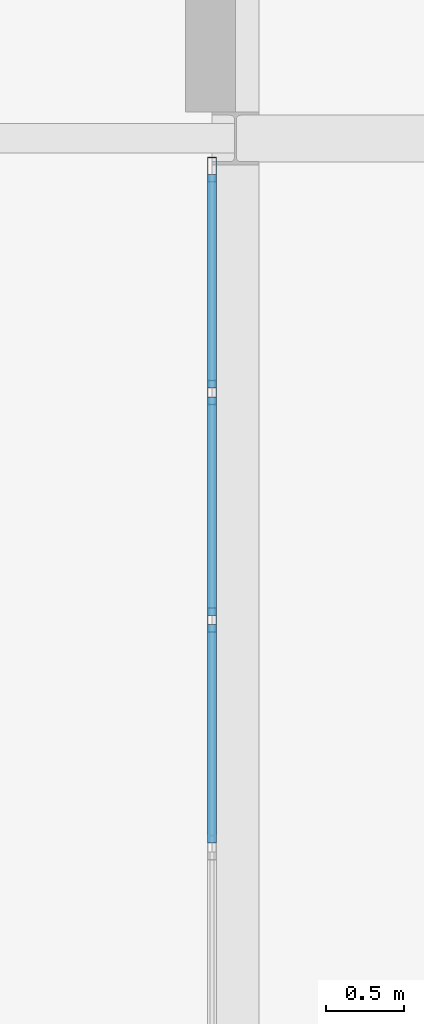
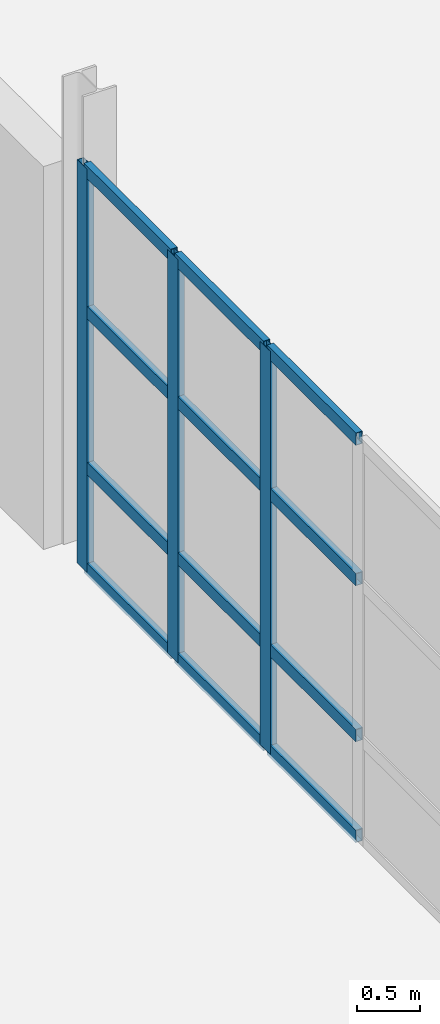
# One storey, part 82 of 103: 15 members, 1 element without a shape of its own.
"""IFC4 building model written with IfcOpenShell, lengths in metres."""

from ifc_helpers import new_model, si_unit, direction, frame, origin, origin_2d, place, context, subcontext, project, spatial, hollow_rectangle, extrude, material, material_profile, profile_set, type_object, element, aggregate, save


model = new_model("IFC4")

# Units and contexts
model_context = context("Model", 3, precision=1e-05, world=origin(), true_north=direction((0.0, 1.0)))
body_context = subcontext(model_context, "Body", "Model", "MODEL_VIEW")
ifc_project = project(units=[si_unit("LENGTHUNIT", "METRE"), si_unit("AREAUNIT", "SQUARE_METRE"), si_unit("VOLUMEUNIT", "CUBIC_METRE"), si_unit("PLANEANGLEUNIT", "RADIAN"), si_unit("MASSUNIT", "GRAM", prefix="KILO")], contexts=[model_context])

# Site, building, storey
site_placement = place(None, origin())
site = spatial("IfcSite", under=ifc_project, at=site_placement, CompositionType="ELEMENT")
building_placement = place(site_placement, origin())
building = spatial("IfcBuilding", under=site, at=building_placement, Name="Veltarok Museum of Natural Sciences", CompositionType="ELEMENT")
storey_placement = place(building_placement, frame((0.0, 0.0, 21.89990234375)))
storey = spatial("IfcBuildingStorey", under=building, at=storey_placement, Name="L04", CompositionType="ELEMENT", Elevation=21.89990234375)

# Curtain wall, members
ifc_material_1 = material(Name="Low-iron triple insulated glass", Category="glass")
curtain_wall_type = type_object("IfcCurtainWallType", Name="Curtain Wall System CW-V5E-L04-E-1166x388 (V5 East Lab L04 E-F 1166x388cm)", PredefinedType="NOTDEFINED", material=ifc_material_1)
curtain_wall_placement = place(storey_placement, origin())
curtain_wall = element("IfcCurtainWall", 1, at=curtain_wall_placement, inside=storey, type_object=curtain_wall_type, Name="Curtain Wall CW-V5E-L04-E-1166x388 CW-0124", PredefinedType="NOTDEFINED")
ifc_material_2 = material(Name="Thermally broken anodised aluminium", Category="aluminium")
ifc_material_profile_1 = material_profile(ifc_material_2, hollow_rectangle(XDim=0.06005859375, YDim=0.1201171875, WallThickness=0.0048828125, at=origin_2d()), Name="CW TRANSOM 60x120x5")
ifc_profile_set_1 = profile_set([ifc_material_profile_1], Name="Thermally broken anodised aluminium")
member_type_1 = type_object("IfcMemberType", Name="Curtain Wall Horizontal Transom 60x120x5", PredefinedType="USERDEFINED", material=ifc_profile_set_1)
member_1_placement = place(storey_placement, frame((149.050048828125, 43.487548828125, 0.030029296875), z_axis=(0.0, 1.0, 0.0), x_axis=(-1.0, 0.0, 0.0)))
member_1 = element("IfcMember", 2, at=member_1_placement, type_object=member_type_1, Name="CW-V5E-L04-E-1166x388 transom 6.1", ObjectType="TRANSOM", PredefinedType="USERDEFINED", context=body_context, shape_type="SweptSolid", body=[
    extrude(hollow_rectangle(XDim=0.06005859375, YDim=0.1201171875, WallThickness=0.0048828125, at=origin_2d()), origin(), (0.0, 0.0, 1.0), 1.3974609375),
])
member_2_placement = place(storey_placement, frame((149.050048828125, 43.487548828125, 1.0), z_axis=(0.0, 1.0, 0.0), x_axis=(-1.0, 0.0, 0.0)))
member_2 = element("IfcMember", 3, at=member_2_placement, type_object=member_type_1, Name="CW-V5E-L04-E-1166x388 transom 6.2", ObjectType="TRANSOM", PredefinedType="USERDEFINED", context=body_context, shape_type="SweptSolid", body=[
    extrude(hollow_rectangle(XDim=0.06005859375, YDim=0.1201171875, WallThickness=0.0048828125, at=origin_2d()), origin(), (0.0, 0.0, 1.0), 1.3974609375),
])
member_3_placement = place(storey_placement, frame((149.050048828125, 43.487548828125, 2.5), z_axis=(0.0, 1.0, 0.0), x_axis=(-1.0, 0.0, 0.0)))
member_3 = element("IfcMember", 4, at=member_3_placement, type_object=member_type_1, Name="CW-V5E-L04-E-1166x388 transom 6.3", ObjectType="TRANSOM", PredefinedType="USERDEFINED", context=body_context, shape_type="SweptSolid", body=[
    extrude(hollow_rectangle(XDim=0.06005859375, YDim=0.1201171875, WallThickness=0.0048828125, at=origin_2d()), origin(), (0.0, 0.0, 1.0), 1.3974609375),
])
member_4_placement = place(storey_placement, frame((149.050048828125, 43.487548828125, 3.85009765625), z_axis=(0.0, 1.0, 0.0), x_axis=(-1.0, 0.0, 0.0)))
member_4 = element("IfcMember", 5, at=member_4_placement, type_object=member_type_1, Name="CW-V5E-L04-E-1166x388 transom 6.4", ObjectType="TRANSOM", PredefinedType="USERDEFINED", context=body_context, shape_type="SweptSolid", body=[
    extrude(hollow_rectangle(XDim=0.06005859375, YDim=0.1201171875, WallThickness=0.0048828125, at=origin_2d()), origin(), (0.0, 0.0, 1.0), 1.3974609375),
])
member_5_placement = place(storey_placement, frame((149.050048828125, 44.945068359375, 0.030029296875), z_axis=(0.0, 1.0, 0.0), x_axis=(-1.0, 0.0, 0.0)))
member_5 = element("IfcMember", 6, at=member_5_placement, type_object=member_type_1, Name="CW-V5E-L04-E-1166x388 transom 7.1", ObjectType="TRANSOM", PredefinedType="USERDEFINED", context=body_context, shape_type="SweptSolid", body=[
    extrude(hollow_rectangle(XDim=0.06005859375, YDim=0.1201171875, WallThickness=0.0048828125, at=origin_2d()), origin(), (0.0, 0.0, 1.0), 1.3974609375),
])
member_6_placement = place(storey_placement, frame((149.050048828125, 44.945068359375, 1.0), z_axis=(0.0, 1.0, 0.0), x_axis=(-1.0, 0.0, 0.0)))
member_6 = element("IfcMember", 7, at=member_6_placement, type_object=member_type_1, Name="CW-V5E-L04-E-1166x388 transom 7.2", ObjectType="TRANSOM", PredefinedType="USERDEFINED", context=body_context, shape_type="SweptSolid", body=[
    extrude(hollow_rectangle(XDim=0.06005859375, YDim=0.1201171875, WallThickness=0.0048828125, at=origin_2d()), origin(), (0.0, 0.0, 1.0), 1.3974609375),
])
member_7_placement = place(storey_placement, frame((149.050048828125, 44.945068359375, 2.5), z_axis=(0.0, 1.0, 0.0), x_axis=(-1.0, 0.0, 0.0)))
member_7 = element("IfcMember", 8, at=member_7_placement, type_object=member_type_1, Name="CW-V5E-L04-E-1166x388 transom 7.3", ObjectType="TRANSOM", PredefinedType="USERDEFINED", context=body_context, shape_type="SweptSolid", body=[
    extrude(hollow_rectangle(XDim=0.06005859375, YDim=0.1201171875, WallThickness=0.0048828125, at=origin_2d()), origin(), (0.0, 0.0, 1.0), 1.3974609375),
])
member_8_placement = place(storey_placement, frame((149.050048828125, 44.945068359375, 3.85009765625), z_axis=(0.0, 1.0, 0.0), x_axis=(-1.0, 0.0, 0.0)))
member_8 = element("IfcMember", 9, at=member_8_placement, type_object=member_type_1, Name="CW-V5E-L04-E-1166x388 transom 7.4", ObjectType="TRANSOM", PredefinedType="USERDEFINED", context=body_context, shape_type="SweptSolid", body=[
    extrude(hollow_rectangle(XDim=0.06005859375, YDim=0.1201171875, WallThickness=0.0048828125, at=origin_2d()), origin(), (0.0, 0.0, 1.0), 1.3974609375),
])
member_9_placement = place(storey_placement, frame((149.050048828125, 46.402587890625, 0.030029296875), z_axis=(0.0, 1.0, 0.0), x_axis=(-1.0, 0.0, 0.0)))
member_9 = element("IfcMember", 10, at=member_9_placement, type_object=member_type_1, Name="CW-V5E-L04-E-1166x388 transom 8.1", ObjectType="TRANSOM", PredefinedType="USERDEFINED", context=body_context, shape_type="SweptSolid", body=[
    extrude(hollow_rectangle(XDim=0.06005859375, YDim=0.1201171875, WallThickness=0.0048828125, at=origin_2d()), origin(), (0.0, 0.0, 1.0), 1.367431640625),
])
member_10_placement = place(storey_placement, frame((149.050048828125, 46.402587890625, 1.0), z_axis=(0.0, 1.0, 0.0), x_axis=(-1.0, 0.0, 0.0)))
member_10 = element("IfcMember", 11, at=member_10_placement, type_object=member_type_1, Name="CW-V5E-L04-E-1166x388 transom 8.2", ObjectType="TRANSOM", PredefinedType="USERDEFINED", context=body_context, shape_type="SweptSolid", body=[
    extrude(hollow_rectangle(XDim=0.06005859375, YDim=0.1201171875, WallThickness=0.0048828125, at=origin_2d()), origin(), (0.0, 0.0, 1.0), 1.367431640625),
])
member_11_placement = place(storey_placement, frame((149.050048828125, 46.402587890625, 2.5), z_axis=(0.0, 1.0, 0.0), x_axis=(-1.0, 0.0, 0.0)))
member_11 = element("IfcMember", 12, at=member_11_placement, type_object=member_type_1, Name="CW-V5E-L04-E-1166x388 transom 8.3", ObjectType="TRANSOM", PredefinedType="USERDEFINED", context=body_context, shape_type="SweptSolid", body=[
    extrude(hollow_rectangle(XDim=0.06005859375, YDim=0.1201171875, WallThickness=0.0048828125, at=origin_2d()), origin(), (0.0, 0.0, 1.0), 1.367431640625),
])
member_12_placement = place(storey_placement, frame((149.050048828125, 46.402587890625, 3.85009765625), z_axis=(0.0, 1.0, 0.0), x_axis=(-1.0, 0.0, 0.0)))
member_12 = element("IfcMember", 13, at=member_12_placement, type_object=member_type_1, Name="CW-V5E-L04-E-1166x388 transom 8.4", ObjectType="TRANSOM", PredefinedType="USERDEFINED", context=body_context, shape_type="SweptSolid", body=[
    extrude(hollow_rectangle(XDim=0.06005859375, YDim=0.1201171875, WallThickness=0.0048828125, at=origin_2d()), origin(), (0.0, 0.0, 1.0), 1.367431640625),
])
ifc_material_profile_2 = material_profile(ifc_material_2, hollow_rectangle(XDim=0.06005859375, YDim=0.159912109375, WallThickness=0.0048828125, at=origin_2d()), Name="CW MULLION 60x160x5")
ifc_profile_set_2 = profile_set([ifc_material_profile_2], Name="Thermally broken anodised aluminium")
member_type_2 = type_object("IfcMemberType", Name="Curtain Wall Vertical Mullion 60x160x5", PredefinedType="MULLION", material=ifc_profile_set_2)
member_13_placement = place(storey_placement, frame((149.050048828125, 44.9150390625, 0.0), z_axis=(0.0, 0.0, 1.0), x_axis=(-1.0, 0.0, 0.0)))
member_13 = element("IfcMember", 14, at=member_13_placement, type_object=member_type_2, Name="CW-V5E-L04-E-1166x388 mullion 7", PredefinedType="MULLION", context=body_context, shape_type="SweptSolid", body=[
    extrude(hollow_rectangle(XDim=0.06005859375, YDim=0.159912109375, WallThickness=0.0048828125, at=origin_2d()), origin(), (0.0, 0.0, 1.0), 3.880126953125),
])
member_14_placement = place(storey_placement, frame((149.050048828125, 46.37255859375, 0.0), z_axis=(0.0, 0.0, 1.0), x_axis=(-1.0, 0.0, 0.0)))
member_14 = element("IfcMember", 15, at=member_14_placement, type_object=member_type_2, Name="CW-V5E-L04-E-1166x388 mullion 8", PredefinedType="MULLION", context=body_context, shape_type="SweptSolid", body=[
    extrude(hollow_rectangle(XDim=0.06005859375, YDim=0.159912109375, WallThickness=0.0048828125, at=origin_2d()), origin(), (0.0, 0.0, 1.0), 3.880126953125),
])
member_15_placement = place(storey_placement, frame((149.050048828125, 47.800048828125, 0.0), z_axis=(0.0, 0.0, 1.0), x_axis=(-1.0, 0.0, 0.0)))
member_15 = element("IfcMember", 16, at=member_15_placement, type_object=member_type_2, Name="CW-V5E-L04-E-1166x388 mullion 9", PredefinedType="MULLION", context=body_context, shape_type="SweptSolid", body=[
    extrude(hollow_rectangle(XDim=0.06005859375, YDim=0.159912109375, WallThickness=0.0048828125, at=origin_2d()), origin(), (0.0, 0.0, 1.0), 3.880126953125),
])
aggregate(curtain_wall, [member_13, member_14, member_15, member_1, member_2, member_3, member_4, member_5, member_6, member_7, member_8, member_9, member_10, member_11, member_12])

save(model, "model.ifc")
